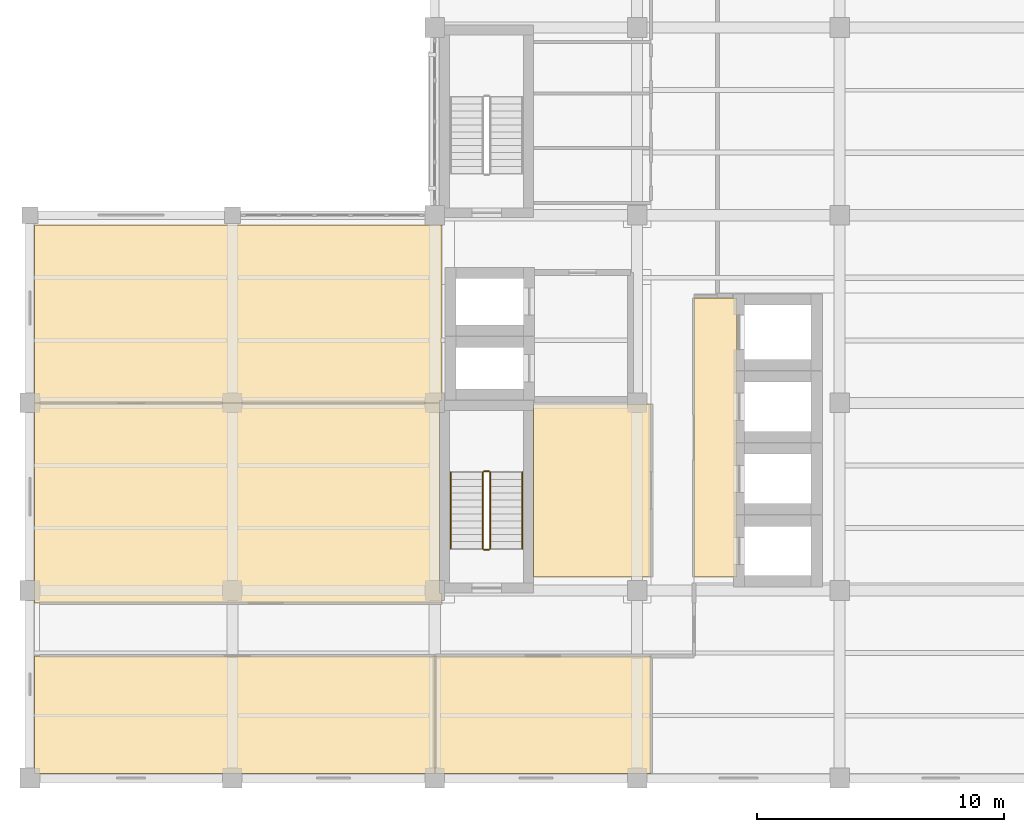
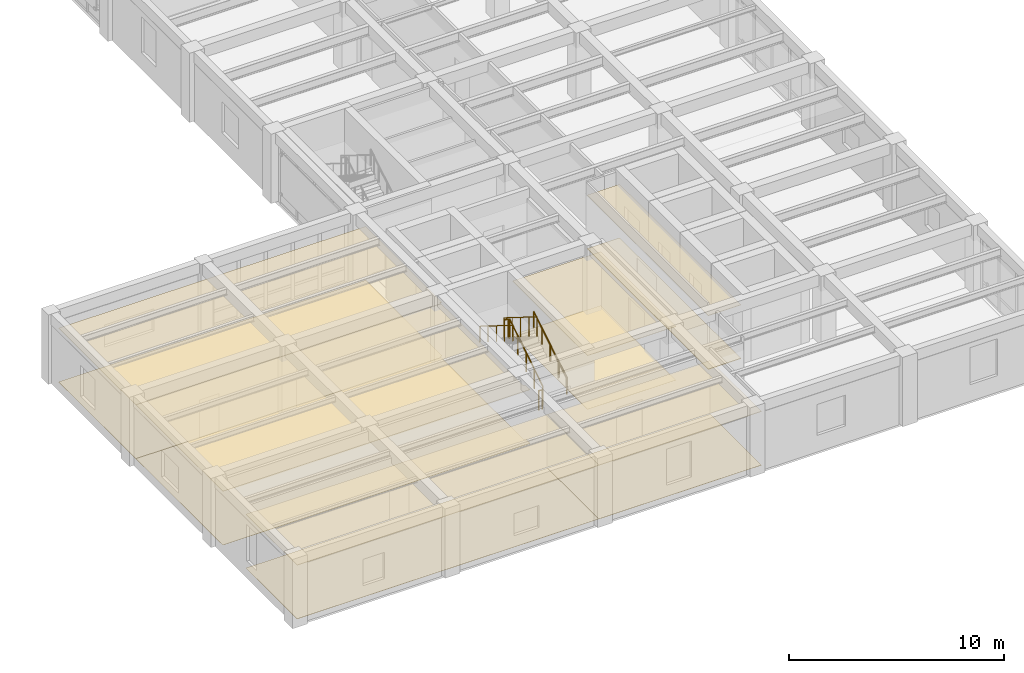
# One storey, part 11 of 14: 12 coverings, 6 railings.
"""IFC4 building model written with IfcOpenShell, lengths in metres."""

import ifcopenshell
import ifcopenshell.guid

model = None  # the IFC model being written
_history = None  # IfcOwnerHistory: only IFC2X3 demands one
_inside = {}  # id of a spatial element -> (the spatial element, [elements in it])
_under = {}  # id of a project, library or spatial element -> (it, [spatial elements below it])
_declared = {}  # id of a project -> (the project, [libraries it declares])
_typed = {}  # id of a type object -> (the type object, [elements of that type])
_made_of = {}  # id of a material, layer set ... -> (it, [elements and type objects made of it])


def new_model(schema):
    """Start an empty IFC model of exactly this schema.

    Asked for "IFC4X3", IfcOpenShell would pick the latest addendum, in which some entities
    have other attributes; the version numbers below select the first issue.
    IFC2X3 requires an IfcOwnerHistory on every rooted entity: one is made here for all.
    """
    global model, _history
    if schema == "IFC4X3":
        model = ifcopenshell.file(schema_version=(4, 3, 0, 0))
    else:
        model = ifcopenshell.file(schema=schema)
    _inside.clear()
    _under.clear()
    _declared.clear()
    _typed.clear()
    _made_of.clear()
    _history = None
    if model.schema == "IFC2X3":
        org = make("IfcOrganization", Name="unknown")
        user = make(
            "IfcPersonAndOrganization",
            ThePerson=make("IfcPerson", FamilyName="unknown"),
            TheOrganization=org,
        )
        app = make(
            "IfcApplication",
            ApplicationDeveloper=org,
            Version="unknown",
            ApplicationFullName="unknown",
            ApplicationIdentifier="unknown",
        )
        _history = make(
            "IfcOwnerHistory",
            OwningUser=user,
            OwningApplication=app,
            ChangeAction="ADDED",
            CreationDate=0,
        )
    return model


def make(cls, **values):
    """One entity of the class cls with the attributes given. An attribute that is None is left unset."""
    return model.create_entity(
        cls, **{name: value for name, value in values.items() if value is not None}
    )


def rooted(cls, **values):
    """An entity with a GlobalId (a new one), such as an element, a storey or a relation."""
    return make(cls, GlobalId=ifcopenshell.guid.new(), OwnerHistory=_history, **values)


def si_unit(unit_type, name, prefix=None):
    """IfcSIUnit, for example si_unit("LENGTHUNIT", "METRE", prefix="MILLI")."""
    return make("IfcSIUnit", UnitType=unit_type, Prefix=prefix, Name=name)


def assignment(units):
    """IfcUnitAssignment: the units of a project."""
    return None if units is None else make("IfcUnitAssignment", Units=units)


def point(xyz):
    """IfcCartesianPoint."""
    return None if xyz is None else make("IfcCartesianPoint", Coordinates=xyz)


def direction(xyz):
    """IfcDirection."""
    return None if xyz is None else make("IfcDirection", DirectionRatios=xyz)


def frame(location, z_axis=None, x_axis=None):
    """IfcAxis2Placement3D, a coordinate frame: its origin and axes. An axis left out is left unset."""
    return make(
        "IfcAxis2Placement3D",
        Location=point(location),
        Axis=direction(z_axis),
        RefDirection=direction(x_axis),
    )


def frame_2d(location, x_axis=None):
    """IfcAxis2Placement2D, a coordinate frame in the plane: its origin and x axis."""
    return make(
        "IfcAxis2Placement2D", Location=point(location), RefDirection=direction(x_axis)
    )


def origin():
    """The frame at (0, 0, 0) with its axes left unset."""
    return frame((0.0, 0.0, 0.0))


def origin_2d():
    """The frame at (0, 0) in the plane with its x axis left unset."""
    return frame_2d((0.0, 0.0))


def place(relative_to, where):
    """IfcLocalPlacement: puts the frame where relative to a parent placement (None: the world)."""
    return make(
        "IfcLocalPlacement", PlacementRelTo=relative_to, RelativePlacement=where
    )


def context(
    kind, dimensions, precision=None, world=None, true_north=None, identifier=None
):
    """IfcGeometricRepresentationContext, for example the 3D "Model" context."""
    return make(
        "IfcGeometricRepresentationContext",
        ContextIdentifier=identifier,
        ContextType=kind,
        CoordinateSpaceDimension=dimensions,
        Precision=precision,
        WorldCoordinateSystem=world,
        TrueNorth=true_north,
    )


def subcontext(parent, identifier, kind, view, scale=None):
    """IfcGeometricRepresentationSubContext, for example "Body" below "Model"."""
    return make(
        "IfcGeometricRepresentationSubContext",
        ContextIdentifier=identifier,
        ContextType=kind,
        ParentContext=parent,
        TargetScale=scale,
        TargetView=view,
    )


def project(units=None, contexts=None):
    """IfcProject with its units and contexts."""
    return rooted(
        "IfcProject",
        Name="project",
        RepresentationContexts=contexts,
        UnitsInContext=assignment(units),
    )


def spatial(cls, under=None, at=None, **own):
    """A site, building, storey or space (cls), placed at a placement, below another one or the project."""
    s = rooted(cls, ObjectPlacement=at, **own)
    if under is not None:
        _under.setdefault(under.id(), (under, []))[1].append(s)
    return s


def polyline(points):
    """IfcPolyline through the points."""
    return make("IfcPolyline", Points=[point(p) for p in points])


def profile(cls, at=None, kind="AREA", **sizes):
    """A parametric profile (cls). Its sizes go by their IFC names, for example OverallWidth=200.0."""
    return make(cls, ProfileType=kind, Position=at, **sizes)


def circle(**sizes):
    """IfcCircleProfileDef."""
    return profile("IfcCircleProfileDef", **sizes)


def outline(outer, holes=None, kind="AREA"):
    """IfcArbitraryClosedProfileDef: a profile drawn as a closed curve; with holes, ...WithVoids."""
    if holes is None:
        return make("IfcArbitraryClosedProfileDef", ProfileType=kind, OuterCurve=outer)
    return make(
        "IfcArbitraryProfileDefWithVoids",
        ProfileType=kind,
        OuterCurve=outer,
        InnerCurves=holes,
    )


def extrude(swept, where, along, depth):
    """IfcExtrudedAreaSolid: the profile swept, set in the frame where, extruded along a direction by depth."""
    return make(
        "IfcExtrudedAreaSolid",
        SweptArea=swept,
        Position=where,
        ExtrudedDirection=direction(along),
        Depth=depth,
    )


def shape(context_of_items, identifier, shape_type, items):
    """IfcShapeRepresentation: the items that make up one representation, for example the "Body"."""
    return make(
        "IfcShapeRepresentation",
        ContextOfItems=context_of_items,
        RepresentationIdentifier=identifier,
        RepresentationType=shape_type,
        Items=items,
    )


def material(Name=None, Category=None):
    """IfcMaterial."""
    return make("IfcMaterial", Name=Name, Category=Category)


def layer(
    of_material, thickness, ventilated=None, Name=None, Category=None, Priority=None
):
    """IfcMaterialLayer: one layer of a wall or slab, of a material (None: an air gap)."""
    return make(
        "IfcMaterialLayer",
        Material=of_material,
        LayerThickness=thickness,
        IsVentilated=ventilated,
        Name=Name,
        Category=Category,
        Priority=Priority,
    )


def layer_set(layers, Name=None):
    """IfcMaterialLayerSet."""
    return make("IfcMaterialLayerSet", MaterialLayers=layers, LayerSetName=Name)


def made_of(thing, what):
    """Note that an element or type object is made of a material, layer set ...; save() writes the relation."""
    if what is not None:
        _made_of.setdefault(what.id(), (what, []))[1].append(thing)
    return thing


def type_object(cls, material=None, **own):
    """A type object (cls), such as IfcWallType, which elements share."""
    return made_of(rooted(cls, **own), material)


def element(
    cls,
    number,
    at=None,
    inside=None,
    cuts=None,
    type_object=None,
    material=None,
    context=None,
    identifier="Body",
    shape_type=None,
    held_by="IfcProductDefinitionShape",
    body=None,
    shapes=None,
    **own,
):
    """One element of the class cls, such as IfcWall. Its Tag is "e" and its number.

    at: its placement. inside: the storey or other place that contains it. cuts: it is an
    opening in that element (IfcRelVoidsElement). A single representation is given by context,
    identifier, shape_type and body (its items); several are given by shapes. held_by: the class
    of the entity that holds the representations. save() writes the other relations.
    """
    e = rooted(cls, Tag="e%d" % number, ObjectPlacement=at, **own)
    if body is not None:
        shapes = [shape(context, identifier, shape_type, body)]
    if shapes is not None:
        e.Representation = make(held_by, Representations=shapes)
    if inside is not None:
        _inside.setdefault(inside.id(), (inside, []))[1].append(e)
    if cuts is not None:
        rooted(
            "IfcRelVoidsElement", RelatingBuildingElement=cuts, RelatedOpeningElement=e
        )
    if type_object is not None:
        _typed.setdefault(type_object.id(), (type_object, []))[1].append(e)
    return made_of(e, material)


def aggregate(whole, parts):
    """IfcRelAggregates: a whole, such as a stair, and the parts it consists of."""
    return rooted("IfcRelAggregates", RelatingObject=whole, RelatedObjects=parts)


def save(model, path):
    """Write the relations noted so far, then the file.

    IfcRelAggregates (storeys below a building ...), IfcRelContainedInSpatialStructure (elements
    in a storey), IfcRelDefinesByType, IfcRelAssociatesMaterial and IfcRelDeclares: one each for
    every whole, place, type object, material and project.
    """
    for whole, parts in _under.values():
        aggregate(whole, parts)
    for where, things in _inside.values():
        rooted(
            "IfcRelContainedInSpatialStructure",
            RelatedElements=things,
            RelatingStructure=where,
        )
    for kind, things in _typed.values():
        rooted("IfcRelDefinesByType", RelatedObjects=things, RelatingType=kind)
    for what, things in _made_of.values():
        rooted("IfcRelAssociatesMaterial", RelatedObjects=things, RelatingMaterial=what)
    for by, libraries in _declared.values():
        rooted("IfcRelDeclares", RelatingContext=by, RelatedDefinitions=libraries)
    model.write(path)


model = new_model("IFC4")

# Units and contexts
model_context = context("Model", 3, precision=1e-05, world=origin(), true_north=direction((0.0, 1.0)))
body_context = subcontext(model_context, "Body", "Model", "MODEL_VIEW")
ifc_project = project(units=[si_unit("LENGTHUNIT", "METRE"), si_unit("AREAUNIT", "SQUARE_METRE"), si_unit("VOLUMEUNIT", "CUBIC_METRE"), si_unit("PLANEANGLEUNIT", "RADIAN"), si_unit("MASSUNIT", "GRAM", prefix="KILO")], contexts=[model_context])

# Site, building, storey
site_placement = place(None, origin())
site = spatial("IfcSite", under=ifc_project, at=site_placement, CompositionType="ELEMENT")
building_placement = place(site_placement, origin())
building = spatial("IfcBuilding", under=site, at=building_placement, Name="Qandaris Square Conservatory and Botanical Centre", CompositionType="ELEMENT")
storey_placement = place(building_placement, frame((0.0, 0.0, 40.800048828125)))
storey = spatial("IfcBuildingStorey", under=building, at=storey_placement, Name="L09", CompositionType="ELEMENT", Elevation=40.800048828125)

# Coverings
ifc_material_1 = material(Name="Honed Qatari Limestone", Category="masonry")
ifc_layer_1 = layer(ifc_material_1, 0.030029296875)
ifc_layer_set_1 = layer_set([ifc_layer_1], Name="Honed Qatari Limestone")
covering_type_1 = type_object("IfcCoveringType", Name="Honed Qatari Limestone Concourse Paving", PredefinedType="FLOORING", material=ifc_layer_set_1)
covering_1_placement = place(storey_placement, origin())
element("IfcCovering", 1, at=covering_1_placement, inside=storey, type_object=covering_type_1, Name="Passenger Lift Lobby L09 Flooring", PredefinedType="FLOORING", context=body_context, shape_type="SweptSolid", body=[
    extrude(outline(polyline([(149.699951171875, 36.050048828125), (151.449951171875, 36.050048828125), (151.449951171875, 24.75), (149.699951171875, 24.75), (149.699951171875, 36.050048828125)])), origin(), (0.0, 0.0, 1.0), 0.030029296875),
])
ifc_material_2 = material(Name="Gypsum Plasterboard", Category="gypsum")
ifc_layer_2 = layer(ifc_material_2, 0.02490234375)
ifc_layer_set_2 = layer_set([ifc_layer_2], Name="Gypsum Plasterboard")
covering_type_2 = type_object("IfcCoveringType", Name="Perforated Acoustic Lab Ceiling Tile", PredefinedType="CEILING", material=ifc_layer_set_2)
covering_2_placement = place(storey_placement, frame((0.0, 0.0, 3.050048828125)))
element("IfcCovering", 2, at=covering_2_placement, inside=storey, type_object=covering_type_2, Name="Electrical and Telecom Riser Room L09 Ceiling", PredefinedType="CEILING", context=body_context, shape_type="SweptSolid", body=[
    extrude(outline(polyline([(147.949951171875, 31.75), (147.949951171875, 24.75), (143.199951171875, 24.75), (143.199951171875, 31.75), (147.949951171875, 31.75)])), origin(), (0.0, 0.0, 1.0), 0.02490234375),
])
covering_3_placement = place(storey_placement, frame((0.0, 0.0, 3.050048828125)))
element("IfcCovering", 3, at=covering_3_placement, inside=storey, type_object=covering_type_2, Name="Passenger Lift Lobby L09 Ceiling", PredefinedType="CEILING", context=body_context, shape_type="SweptSolid", body=[
    extrude(outline(polyline([(149.699951171875, 36.050048828125), (151.449951171875, 36.050048828125), (151.449951171875, 24.75), (149.699951171875, 24.75), (149.699951171875, 36.050048828125)])), origin(), (0.0, 0.0, 1.0), 0.02490234375),
])
covering_4_placement = place(storey_placement, frame((0.0, 0.0, 3.050048828125)))
element("IfcCovering", 4, at=covering_4_placement, inside=storey, type_object=covering_type_2, Name="Mangrove Restoration Research Laboratory Ceiling", PredefinedType="CEILING", context=body_context, shape_type="SweptSolid", body=[
    extrude(outline(polyline([(123.199951171875, 21.550048828125), (139.199951171875, 21.550048828125), (139.199951171875, 16.780029296875), (122.97998046875, 16.780029296875), (122.97998046875, 21.550048828125), (123.199951171875, 21.550048828125)])), origin(), (0.0, 0.0, 1.0), 0.02490234375),
])
covering_5_placement = place(storey_placement, frame((0.0, 0.0, 3.050048828125)))
element("IfcCovering", 5, at=covering_5_placement, inside=storey, type_object=covering_type_2, Name="Thermal Adaptation Suite Ceiling", PredefinedType="CEILING", context=body_context, shape_type="SweptSolid", body=[
    extrude(outline(polyline([(147.949951171875, 21.550048828125), (147.949951171875, 16.780029296875), (139.199951171875, 16.780029296875), (139.199951171875, 21.550048828125), (147.949951171875, 21.550048828125)])), origin(), (0.0, 0.0, 1.0), 0.02490234375),
])
covering_6_placement = place(storey_placement, frame((0.0, 0.0, 3.050048828125)))
element("IfcCovering", 6, at=covering_6_placement, inside=storey, type_object=covering_type_2, Name="Phenomics Imaging Research Laboratory South Ceiling", PredefinedType="CEILING", context=body_context, shape_type="SweptSolid", body=[
    extrude(outline(polyline([(139.5, 23.699951171875), (123.199951171875, 23.699951171875), (122.97998046875, 23.699951171875), (122.97998046875, 31.800048828125), (139.39990234375, 31.800048828125), (139.39990234375, 24.10009765625), (139.5, 24.10009765625), (139.5, 23.699951171875)])), origin(), (0.0, 0.0, 1.0), 0.02490234375),
])
covering_7_placement = place(storey_placement, frame((0.0, 0.0, 3.050048828125)))
element("IfcCovering", 7, at=covering_7_placement, inside=storey, type_object=covering_type_2, Name="Phenomics Imaging Research Laboratory North Ceiling", PredefinedType="CEILING", context=body_context, shape_type="SweptSolid", body=[
    extrude(outline(polyline([(139.5, 31.89990234375), (139.39990234375, 31.89990234375), (139.39990234375, 31.800048828125), (122.97998046875, 31.800048828125), (122.97998046875, 39.0), (139.5, 39.0), (139.5, 31.89990234375)])), origin(), (0.0, 0.0, 1.0), 0.02490234375),
])
ifc_material_3 = material(Name="Epoxy Resin Screed", Category="finish")
ifc_layer_3 = layer(ifc_material_3, 0.014892578125)
ifc_layer_set_3 = layer_set([ifc_layer_3], Name="Epoxy Resin Screed")
covering_type_3 = type_object("IfcCoveringType", Name="Seamless Epoxy Laboratory Flooring", PredefinedType="FLOORING", material=ifc_layer_set_3)
covering_8_placement = place(storey_placement, origin())
element("IfcCovering", 8, at=covering_8_placement, inside=storey, type_object=covering_type_3, Name="Electrical and Telecom Riser Room L09 Flooring", PredefinedType="FLOORING", context=body_context, shape_type="SweptSolid", body=[
    extrude(outline(polyline([(147.949951171875, 31.75), (147.949951171875, 24.75), (143.199951171875, 24.75), (143.199951171875, 31.75), (147.949951171875, 31.75)])), origin(), (0.0, 0.0, 1.0), 0.014892578125),
])
covering_9_placement = place(storey_placement, origin())
element("IfcCovering", 9, at=covering_9_placement, inside=storey, type_object=covering_type_3, Name="Mangrove Restoration Research Laboratory Flooring", PredefinedType="FLOORING", context=body_context, shape_type="SweptSolid", body=[
    extrude(outline(polyline([(123.199951171875, 21.550048828125), (139.199951171875, 21.550048828125), (139.199951171875, 16.780029296875), (122.97998046875, 16.780029296875), (122.97998046875, 21.550048828125), (123.199951171875, 21.550048828125)])), origin(), (0.0, 0.0, 1.0), 0.014892578125),
])
covering_10_placement = place(storey_placement, origin())
element("IfcCovering", 10, at=covering_10_placement, inside=storey, type_object=covering_type_3, Name="Thermal Adaptation Suite Flooring", PredefinedType="FLOORING", context=body_context, shape_type="SweptSolid", body=[
    extrude(outline(polyline([(147.949951171875, 21.550048828125), (147.949951171875, 16.780029296875), (139.199951171875, 16.780029296875), (139.199951171875, 21.550048828125), (147.949951171875, 21.550048828125)])), origin(), (0.0, 0.0, 1.0), 0.014892578125),
])
covering_11_placement = place(storey_placement, origin())
element("IfcCovering", 11, at=covering_11_placement, inside=storey, type_object=covering_type_3, Name="Phenomics Imaging Research Laboratory South Flooring", PredefinedType="FLOORING", context=body_context, shape_type="SweptSolid", body=[
    extrude(outline(polyline([(139.5, 23.699951171875), (123.199951171875, 23.699951171875), (122.97998046875, 23.699951171875), (122.97998046875, 31.800048828125), (139.39990234375, 31.800048828125), (139.39990234375, 24.10009765625), (139.5, 24.10009765625), (139.5, 23.699951171875)])), origin(), (0.0, 0.0, 1.0), 0.014892578125),
])
covering_12_placement = place(storey_placement, origin())
element("IfcCovering", 12, at=covering_12_placement, inside=storey, type_object=covering_type_3, Name="Phenomics Imaging Research Laboratory North Flooring", PredefinedType="FLOORING", context=body_context, shape_type="SweptSolid", body=[
    extrude(outline(polyline([(139.5, 31.89990234375), (139.39990234375, 31.89990234375), (139.39990234375, 31.800048828125), (122.97998046875, 31.800048828125), (122.97998046875, 39.0), (139.5, 39.0), (139.5, 31.89990234375)])), origin(), (0.0, 0.0, 1.0), 0.014892578125),
])

# Railings
ifc_material_4 = material(Name="Stainless Steel", Category="steel")
railing_type_1 = type_object("IfcRailingType", Name="Stair Tubular Handrail 920mm", PredefinedType="HANDRAIL", material=ifc_material_4)
railing_1_placement = place(storey_placement, frame((142.75, 25.89990234375, 0.349853515625)))
element("IfcRailing", 13, at=railing_1_placement, inside=storey, type_object=railing_type_1, Name="L09 ST-1 stair handrail 1", PredefinedType="HANDRAIL", context=body_context, shape_type="SweptSolid", body=[
    extrude(circle(Radius=0.02392578125, at=origin_2d()), frame((0.0, 0.0, 0.89599609375), z_axis=(0.0, 0.847998304005, 0.529998940003), x_axis=(-1.0, 0.0, 0.0)), (0.0, 0.0, 1.0), 3.632080078125),
    extrude(circle(Radius=0.02099609375, at=origin_2d()), origin(), (0.0, 0.0, 1.0), 0.871826171875),
    extrude(circle(Radius=0.02099609375, at=origin_2d()), frame((0.0, 0.77001953125, 0.481201171875)), (0.0, 0.0, 1.0), 0.871826171875),
    extrude(circle(Radius=0.02099609375, at=origin_2d()), frame((0.0, 1.5400390625, 0.96240234375)), (0.0, 0.0, 1.0), 0.871826171875),
    extrude(circle(Radius=0.02099609375, at=origin_2d()), frame((0.0, 2.31005859375, 1.44384765625)), (0.0, 0.0, 1.0), 0.871826171875),
    extrude(circle(Radius=0.02099609375, at=origin_2d()), frame((0.0, 3.080078125, 1.925048828125)), (0.0, 0.0, 1.0), 0.871826171875),
])
railing_2_placement = place(storey_placement, frame((139.85009765625, 28.97998046875, 2.449951171875)))
element("IfcRailing", 14, at=railing_2_placement, inside=storey, type_object=railing_type_1, Name="L09 ST-1 stair handrail 2", PredefinedType="HANDRAIL", context=body_context, shape_type="SweptSolid", body=[
    extrude(circle(Radius=0.02392578125, at=origin_2d()), frame((0.0, 0.0, 0.89599609375), z_axis=(0.0, -0.847998304005, 0.529998940003), x_axis=(1.0, 0.0, 0.0)), (0.0, 0.0, 1.0), 3.632080078125),
    extrude(circle(Radius=0.02099609375, at=origin_2d()), origin(), (0.0, 0.0, 1.0), 0.871826171875),
    extrude(circle(Radius=0.02099609375, at=origin_2d()), frame((0.0, -0.77001953125, 0.481201171875)), (0.0, 0.0, 1.0), 0.871826171875),
    extrude(circle(Radius=0.02099609375, at=origin_2d()), frame((0.0, -1.5400390625, 0.96240234375)), (0.0, 0.0, 1.0), 0.871826171875),
    extrude(circle(Radius=0.02099609375, at=origin_2d()), frame((0.0, -2.31005859375, 1.44384765625)), (0.0, 0.0, 1.0), 0.871826171875),
    extrude(circle(Radius=0.02099609375, at=origin_2d()), frame((0.0, -3.080078125, 1.925048828125)), (0.0, 0.0, 1.0), 0.871826171875),
])
railing_type_2 = type_object("IfcRailingType", Name="Stairwell & Atrium Guardrail 1120mm", PredefinedType="GUARDRAIL", material=ifc_material_4)
railing_3_placement = place(storey_placement, frame((141.449951171875, 25.89990234375, 0.175048828125)))
element("IfcRailing", 15, at=railing_3_placement, inside=storey, type_object=railing_type_2, Name="L09 ST-1 stair guard 1", PredefinedType="GUARDRAIL", context=body_context, shape_type="SweptSolid", body=[
    extrude(circle(Radius=0.02392578125, at=origin_2d()), frame((0.0, 0.0, 1.09619140625), z_axis=(0.0, 0.848028513186, 0.529950602248), x_axis=(-1.0, 0.0, 0.0)), (0.0, 0.0, 1.0), 3.632080078125),
    extrude(circle(Radius=0.02099609375, at=origin_2d()), origin(), (0.0, 0.0, 1.0), 1.072021484375),
    extrude(circle(Radius=0.02099609375, at=origin_2d()), frame((0.0, 0.77001953125, 0.481201171875)), (0.0, 0.0, 1.0), 1.072021484375),
    extrude(circle(Radius=0.02099609375, at=origin_2d()), frame((0.0, 1.5400390625, 0.96240234375)), (0.0, 0.0, 1.0), 1.072021484375),
    extrude(circle(Radius=0.02099609375, at=origin_2d()), frame((0.0, 2.31005859375, 1.443603515625)), (0.0, 0.0, 1.0), 1.072021484375),
    extrude(circle(Radius=0.02099609375, at=origin_2d()), frame((0.0, 3.080078125, 1.9248046875)), (0.0, 0.0, 1.0), 1.072021484375),
])
railing_4_placement = place(storey_placement, frame((141.39990234375, 29.030029296875, 2.099853515625)))
element("IfcRailing", 16, at=railing_4_placement, inside=storey, type_object=railing_type_2, Name="L09 ST-1 stair guard 2", PredefinedType="GUARDRAIL", context=body_context, shape_type="SweptSolid", body=[
    extrude(circle(Radius=0.02392578125, at=origin_2d()), frame((0.0, 0.0, 1.09619140625), z_axis=(-1.0, 0.0, 0.0), x_axis=(0.0, -1.0, 0.0)), (0.0, 0.0, 1.0), 0.199951171875),
    extrude(circle(Radius=0.02099609375, at=origin_2d()), origin(), (0.0, 0.0, 1.0), 1.072021484375),
    extrude(circle(Radius=0.02099609375, at=origin_2d()), frame((-0.199951171875, 0.0, 0.0)), (0.0, 0.0, 1.0), 1.072021484375),
])
railing_5_placement = place(storey_placement, frame((141.14990234375, 28.97998046875, 2.27490234375)))
element("IfcRailing", 17, at=railing_5_placement, inside=storey, type_object=railing_type_2, Name="L09 ST-1 stair guard 3", PredefinedType="GUARDRAIL", context=body_context, shape_type="SweptSolid", body=[
    extrude(circle(Radius=0.02392578125, at=origin_2d()), frame((0.0, 0.0, 1.09619140625), z_axis=(0.0, -0.847998304005, 0.529998940003), x_axis=(1.0, 0.0, 0.0)), (0.0, 0.0, 1.0), 3.632080078125),
    extrude(circle(Radius=0.02099609375, at=origin_2d()), origin(), (0.0, 0.0, 1.0), 1.072021484375),
    extrude(circle(Radius=0.02099609375, at=origin_2d()), frame((0.0, -0.77001953125, 0.481201171875)), (0.0, 0.0, 1.0), 1.072021484375),
    extrude(circle(Radius=0.02099609375, at=origin_2d()), frame((0.0, -1.5400390625, 0.96240234375)), (0.0, 0.0, 1.0), 1.072021484375),
    extrude(circle(Radius=0.02099609375, at=origin_2d()), frame((0.0, -2.31005859375, 1.44384765625)), (0.0, 0.0, 1.0), 1.072021484375),
    extrude(circle(Radius=0.02099609375, at=origin_2d()), frame((0.0, -3.080078125, 1.925048828125)), (0.0, 0.0, 1.0), 1.072021484375),
])
railing_6_placement = place(storey_placement, frame((141.39990234375, 25.85009765625, 0.0)))
element("IfcRailing", 18, at=railing_6_placement, inside=storey, type_object=railing_type_2, Name="L09 ST-1 stair guard 4", PredefinedType="GUARDRAIL", context=body_context, shape_type="SweptSolid", body=[
    extrude(circle(Radius=0.02392578125, at=origin_2d()), frame((0.0, 0.0, 1.09619140625), z_axis=(-1.0, 0.0, 0.0), x_axis=(0.0, -1.0, 0.0)), (0.0, 0.0, 1.0), 0.199951171875),
    extrude(circle(Radius=0.02099609375, at=origin_2d()), origin(), (0.0, 0.0, 1.0), 1.072021484375),
    extrude(circle(Radius=0.02099609375, at=origin_2d()), frame((-0.199951171875, 0.0, 0.0)), (0.0, 0.0, 1.0), 1.072021484375),
])

save(model, "model.ifc")
